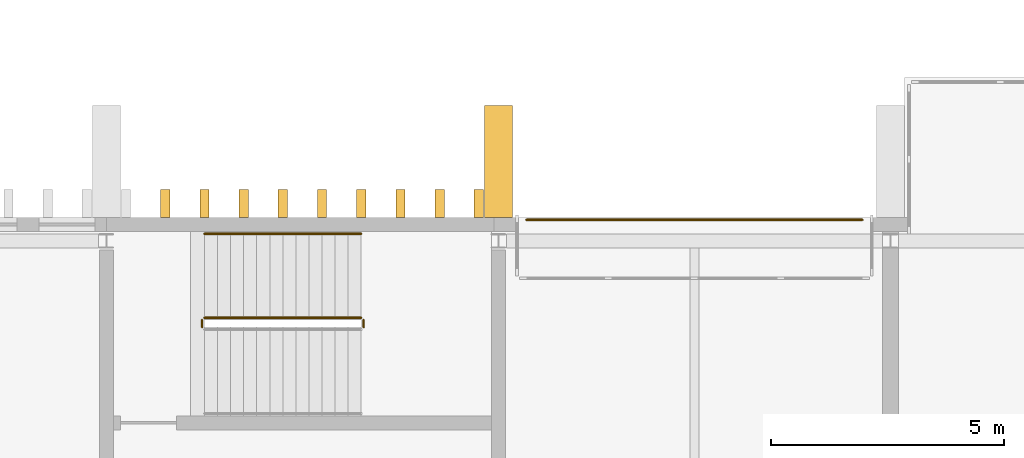
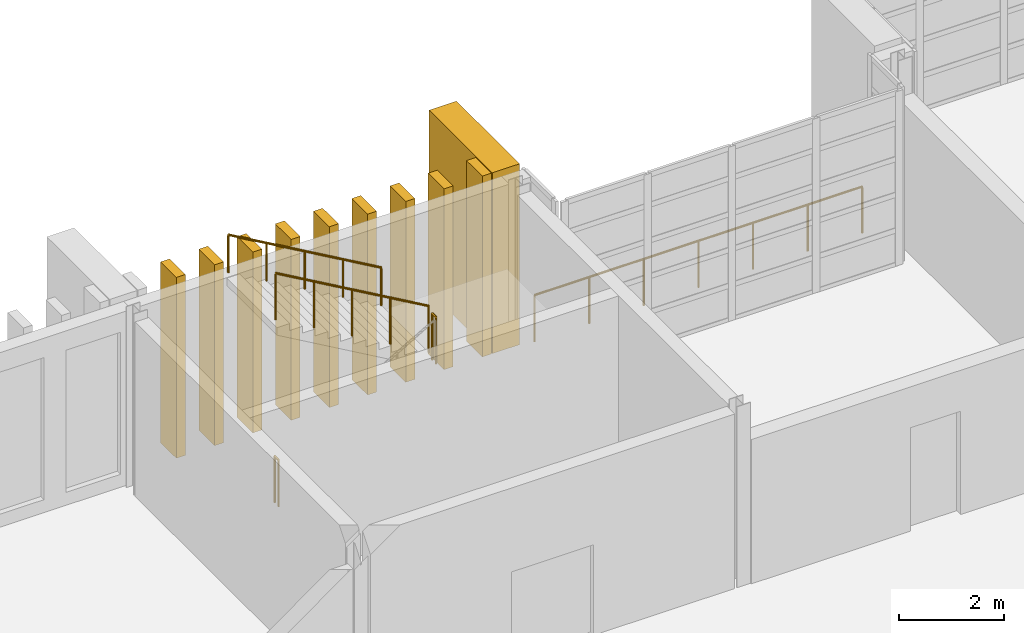
# One storey, part 90 of 100: 10 coverings, 5 railings.
"""IFC4 building model written with IfcOpenShell, lengths in metres."""

import ifcopenshell
import ifcopenshell.guid

model = None  # the IFC model being written
_history = None  # IfcOwnerHistory: only IFC2X3 demands one
_inside = {}  # id of a spatial element -> (the spatial element, [elements in it])
_under = {}  # id of a project, library or spatial element -> (it, [spatial elements below it])
_declared = {}  # id of a project -> (the project, [libraries it declares])
_typed = {}  # id of a type object -> (the type object, [elements of that type])
_made_of = {}  # id of a material, layer set ... -> (it, [elements and type objects made of it])


def new_model(schema):
    """Start an empty IFC model of exactly this schema.

    Asked for "IFC4X3", IfcOpenShell would pick the latest addendum, in which some entities
    have other attributes; the version numbers below select the first issue.
    IFC2X3 requires an IfcOwnerHistory on every rooted entity: one is made here for all.
    """
    global model, _history
    if schema == "IFC4X3":
        model = ifcopenshell.file(schema_version=(4, 3, 0, 0))
    else:
        model = ifcopenshell.file(schema=schema)
    _inside.clear()
    _under.clear()
    _declared.clear()
    _typed.clear()
    _made_of.clear()
    _history = None
    if model.schema == "IFC2X3":
        org = make("IfcOrganization", Name="unknown")
        user = make(
            "IfcPersonAndOrganization",
            ThePerson=make("IfcPerson", FamilyName="unknown"),
            TheOrganization=org,
        )
        app = make(
            "IfcApplication",
            ApplicationDeveloper=org,
            Version="unknown",
            ApplicationFullName="unknown",
            ApplicationIdentifier="unknown",
        )
        _history = make(
            "IfcOwnerHistory",
            OwningUser=user,
            OwningApplication=app,
            ChangeAction="ADDED",
            CreationDate=0,
        )
    return model


def make(cls, **values):
    """One entity of the class cls with the attributes given. An attribute that is None is left unset."""
    return model.create_entity(
        cls, **{name: value for name, value in values.items() if value is not None}
    )


def rooted(cls, **values):
    """An entity with a GlobalId (a new one), such as an element, a storey or a relation."""
    return make(cls, GlobalId=ifcopenshell.guid.new(), OwnerHistory=_history, **values)


def si_unit(unit_type, name, prefix=None):
    """IfcSIUnit, for example si_unit("LENGTHUNIT", "METRE", prefix="MILLI")."""
    return make("IfcSIUnit", UnitType=unit_type, Prefix=prefix, Name=name)


def assignment(units):
    """IfcUnitAssignment: the units of a project."""
    return None if units is None else make("IfcUnitAssignment", Units=units)


def point(xyz):
    """IfcCartesianPoint."""
    return None if xyz is None else make("IfcCartesianPoint", Coordinates=xyz)


def direction(xyz):
    """IfcDirection."""
    return None if xyz is None else make("IfcDirection", DirectionRatios=xyz)


def frame(location, z_axis=None, x_axis=None):
    """IfcAxis2Placement3D, a coordinate frame: its origin and axes. An axis left out is left unset."""
    return make(
        "IfcAxis2Placement3D",
        Location=point(location),
        Axis=direction(z_axis),
        RefDirection=direction(x_axis),
    )


def frame_2d(location, x_axis=None):
    """IfcAxis2Placement2D, a coordinate frame in the plane: its origin and x axis."""
    return make(
        "IfcAxis2Placement2D", Location=point(location), RefDirection=direction(x_axis)
    )


def origin():
    """The frame at (0, 0, 0) with its axes left unset."""
    return frame((0.0, 0.0, 0.0))


def origin_2d():
    """The frame at (0, 0) in the plane with its x axis left unset."""
    return frame_2d((0.0, 0.0))


def place(relative_to, where):
    """IfcLocalPlacement: puts the frame where relative to a parent placement (None: the world)."""
    return make(
        "IfcLocalPlacement", PlacementRelTo=relative_to, RelativePlacement=where
    )


def context(
    kind, dimensions, precision=None, world=None, true_north=None, identifier=None
):
    """IfcGeometricRepresentationContext, for example the 3D "Model" context."""
    return make(
        "IfcGeometricRepresentationContext",
        ContextIdentifier=identifier,
        ContextType=kind,
        CoordinateSpaceDimension=dimensions,
        Precision=precision,
        WorldCoordinateSystem=world,
        TrueNorth=true_north,
    )


def subcontext(parent, identifier, kind, view, scale=None):
    """IfcGeometricRepresentationSubContext, for example "Body" below "Model"."""
    return make(
        "IfcGeometricRepresentationSubContext",
        ContextIdentifier=identifier,
        ContextType=kind,
        ParentContext=parent,
        TargetScale=scale,
        TargetView=view,
    )


def project(units=None, contexts=None):
    """IfcProject with its units and contexts."""
    return rooted(
        "IfcProject",
        Name="project",
        RepresentationContexts=contexts,
        UnitsInContext=assignment(units),
    )


def spatial(cls, under=None, at=None, **own):
    """A site, building, storey or space (cls), placed at a placement, below another one or the project."""
    s = rooted(cls, ObjectPlacement=at, **own)
    if under is not None:
        _under.setdefault(under.id(), (under, []))[1].append(s)
    return s


def profile(cls, at=None, kind="AREA", **sizes):
    """A parametric profile (cls). Its sizes go by their IFC names, for example OverallWidth=200.0."""
    return make(cls, ProfileType=kind, Position=at, **sizes)


def rectangle(**sizes):
    """IfcRectangleProfileDef."""
    return profile("IfcRectangleProfileDef", **sizes)


def circle(**sizes):
    """IfcCircleProfileDef."""
    return profile("IfcCircleProfileDef", **sizes)


def extrude(swept, where, along, depth):
    """IfcExtrudedAreaSolid: the profile swept, set in the frame where, extruded along a direction by depth."""
    return make(
        "IfcExtrudedAreaSolid",
        SweptArea=swept,
        Position=where,
        ExtrudedDirection=direction(along),
        Depth=depth,
    )


def shape(context_of_items, identifier, shape_type, items):
    """IfcShapeRepresentation: the items that make up one representation, for example the "Body"."""
    return make(
        "IfcShapeRepresentation",
        ContextOfItems=context_of_items,
        RepresentationIdentifier=identifier,
        RepresentationType=shape_type,
        Items=items,
    )


def material(Name=None, Category=None):
    """IfcMaterial."""
    return make("IfcMaterial", Name=Name, Category=Category)


def made_of(thing, what):
    """Note that an element or type object is made of a material, layer set ...; save() writes the relation."""
    if what is not None:
        _made_of.setdefault(what.id(), (what, []))[1].append(thing)
    return thing


def type_object(cls, material=None, **own):
    """A type object (cls), such as IfcWallType, which elements share."""
    return made_of(rooted(cls, **own), material)


def element(
    cls,
    number,
    at=None,
    inside=None,
    cuts=None,
    type_object=None,
    material=None,
    context=None,
    identifier="Body",
    shape_type=None,
    held_by="IfcProductDefinitionShape",
    body=None,
    shapes=None,
    **own,
):
    """One element of the class cls, such as IfcWall. Its Tag is "e" and its number.

    at: its placement. inside: the storey or other place that contains it. cuts: it is an
    opening in that element (IfcRelVoidsElement). A single representation is given by context,
    identifier, shape_type and body (its items); several are given by shapes. held_by: the class
    of the entity that holds the representations. save() writes the other relations.
    """
    e = rooted(cls, Tag="e%d" % number, ObjectPlacement=at, **own)
    if body is not None:
        shapes = [shape(context, identifier, shape_type, body)]
    if shapes is not None:
        e.Representation = make(held_by, Representations=shapes)
    if inside is not None:
        _inside.setdefault(inside.id(), (inside, []))[1].append(e)
    if cuts is not None:
        rooted(
            "IfcRelVoidsElement", RelatingBuildingElement=cuts, RelatedOpeningElement=e
        )
    if type_object is not None:
        _typed.setdefault(type_object.id(), (type_object, []))[1].append(e)
    return made_of(e, material)


def aggregate(whole, parts):
    """IfcRelAggregates: a whole, such as a stair, and the parts it consists of."""
    return rooted("IfcRelAggregates", RelatingObject=whole, RelatedObjects=parts)


def save(model, path):
    """Write the relations noted so far, then the file.

    IfcRelAggregates (storeys below a building ...), IfcRelContainedInSpatialStructure (elements
    in a storey), IfcRelDefinesByType, IfcRelAssociatesMaterial and IfcRelDeclares: one each for
    every whole, place, type object, material and project.
    """
    for whole, parts in _under.values():
        aggregate(whole, parts)
    for where, things in _inside.values():
        rooted(
            "IfcRelContainedInSpatialStructure",
            RelatedElements=things,
            RelatingStructure=where,
        )
    for kind, things in _typed.values():
        rooted("IfcRelDefinesByType", RelatedObjects=things, RelatingType=kind)
    for what, things in _made_of.values():
        rooted("IfcRelAssociatesMaterial", RelatedObjects=things, RelatingMaterial=what)
    for by, libraries in _declared.values():
        rooted("IfcRelDeclares", RelatingContext=by, RelatedDefinitions=libraries)
    model.write(path)


model = new_model("IFC4")

# Units and contexts
model_context = context("Model", 3, precision=1e-05, world=origin(), true_north=direction((0.0, 1.0)))
body_context = subcontext(model_context, "Body", "Model", "MODEL_VIEW")
ifc_project = project(units=[si_unit("LENGTHUNIT", "METRE"), si_unit("AREAUNIT", "SQUARE_METRE"), si_unit("VOLUMEUNIT", "CUBIC_METRE"), si_unit("PLANEANGLEUNIT", "RADIAN"), si_unit("MASSUNIT", "GRAM", prefix="KILO")], contexts=[model_context])

# Site, building, storey
site_placement = place(None, origin())
site = spatial("IfcSite", under=ifc_project, at=site_placement, CompositionType="ELEMENT")
building_placement = place(site_placement, origin())
building = spatial("IfcBuilding", under=site, at=building_placement, Name="Cresset Court Congress Hotel", CompositionType="ELEMENT")
storey_placement = place(building_placement, frame((0.0, 0.0, 10.199951171875)))
storey = spatial("IfcBuildingStorey", under=building, at=storey_placement, Name="L02", CompositionType="ELEMENT", Elevation=10.199951171875)

# Railings
ifc_material_1 = material(Name="Steel and laminated glass", Category="steel")
railing_type_1 = type_object("IfcRailingType", Name="Guard 1100 steel and glass", PredefinedType="GUARDRAIL", material=ifc_material_1)
railing_1_placement = place(storey_placement, frame((64.31005859375, 23.35009765625, 2.10009765625)))
element("IfcRailing", 1, at=railing_1_placement, inside=storey, type_object=railing_type_1, Name="L02 ST-B3 stair guard 2", PredefinedType="GUARDRAIL", context=body_context, shape_type="SweptSolid", body=[
    extrude(circle(Radius=0.02392578125, at=origin_2d()), frame((0.0, 0.0, 1.076171875), z_axis=(0.0, 1.0, 0.0), x_axis=(-1.0, 0.0, 0.0)), (0.0, 0.0, 1.0), 0.14990234375),
    extrude(circle(Radius=0.02099609375, at=origin_2d()), origin(), (0.0, 0.0, 1.0), 1.052001953125),
    extrude(circle(Radius=0.02099609375, at=origin_2d()), frame((0.0, 0.14990234375, 0.0)), (0.0, 0.0, 1.0), 1.052001953125),
])
railing_2_placement = place(storey_placement, frame((64.260009765625, 23.550048828125, 2.261474609375)))
element("IfcRailing", 2, at=railing_2_placement, inside=storey, type_object=railing_type_1, Name="L02 ST-B3 stair guard 3", PredefinedType="GUARDRAIL", context=body_context, shape_type="SweptSolid", body=[
    extrude(circle(Radius=0.02392578125, at=origin_2d()), frame((0.0, 0.0, 1.076171875), z_axis=(-0.866190824863, 0.0, 0.499713372768), x_axis=(0.0, -1.0, 0.0)), (0.0, 0.0, 1.0), 3.879150390625),
    extrude(circle(Radius=0.02099609375, at=origin_2d()), origin(), (0.0, 0.0, 1.0), 1.052001953125),
    extrude(circle(Radius=0.02099609375, at=origin_2d()), frame((-0.840087890625, 0.0, 0.484619140625)), (0.0, 0.0, 1.0), 1.052001953125),
    extrude(circle(Radius=0.02099609375, at=origin_2d()), frame((-1.68017578125, 0.0, 0.96923828125)), (0.0, 0.0, 1.0), 1.052001953125),
    extrude(circle(Radius=0.02099609375, at=origin_2d()), frame((-2.52001953125, 0.0, 1.453857421875)), (0.0, 0.0, 1.0), 1.052001953125),
    extrude(circle(Radius=0.02099609375, at=origin_2d()), frame((-3.360107421875, 0.0, 1.9384765625)), (0.0, 0.0, 1.0), 1.052001953125),
])
railing_3_placement = place(storey_placement, frame((60.85009765625, 23.35009765625, 0.0)))
element("IfcRailing", 3, at=railing_3_placement, inside=storey, type_object=railing_type_1, Name="L02 ST-B3 stair guard 4", PredefinedType="GUARDRAIL", context=body_context, shape_type="SweptSolid", body=[
    extrude(circle(Radius=0.02392578125, at=origin_2d()), frame((0.0, 0.0, 1.076171875), z_axis=(0.0, 1.0, 0.0), x_axis=(-1.0, 0.0, 0.0)), (0.0, 0.0, 1.0), 0.14990234375),
    extrude(circle(Radius=0.02099609375, at=origin_2d()), origin(), (0.0, 0.0, 1.0), 1.052001953125),
    extrude(circle(Radius=0.02099609375, at=origin_2d()), frame((0.0, 0.14990234375, 0.0)), (0.0, 0.0, 1.0), 1.052001953125),
])
ifc_material_2 = material(Name="Steel and laminated glass", Category="steel")
railing_type_2 = type_object("IfcRailingType", Name="Guard 1100 steel and glass external", PredefinedType="GUARDRAIL", material=ifc_material_2)
railing_4_placement = place(storey_placement, frame((67.800048828125, 25.64990234375, 0.0)))
element("IfcRailing", 4, at=railing_4_placement, inside=storey, type_object=railing_type_2, Name="Guard to recess N0226", PredefinedType="GUARDRAIL", context=body_context, shape_type="SweptSolid", body=[
    extrude(circle(Radius=0.02392578125, at=origin_2d()), frame((0.0, 0.0, 1.076171875), z_axis=(1.0, 0.0, 0.0), x_axis=(0.0, 1.0, 0.0)), (0.0, 0.0, 1.0), 7.199951171875),
    extrude(circle(Radius=0.02099609375, at=origin_2d()), origin(), (0.0, 0.0, 1.0), 1.052001953125),
    extrude(circle(Radius=0.02099609375, at=origin_2d()), frame((1.199951171875, 0.0, 0.0)), (0.0, 0.0, 1.0), 1.052001953125),
    extrude(circle(Radius=0.02099609375, at=origin_2d()), frame((2.39990234375, 0.0, 0.0)), (0.0, 0.0, 1.0), 1.052001953125),
    extrude(circle(Radius=0.02099609375, at=origin_2d()), frame((3.60009765625, 0.0, 0.0)), (0.0, 0.0, 1.0), 1.052001953125),
    extrude(circle(Radius=0.02099609375, at=origin_2d()), frame((4.800048828125, 0.0, 0.0)), (0.0, 0.0, 1.0), 1.052001953125),
    extrude(circle(Radius=0.02099609375, at=origin_2d()), frame((6.0, 0.0, 0.0)), (0.0, 0.0, 1.0), 1.052001953125),
    extrude(circle(Radius=0.02099609375, at=origin_2d()), frame((7.199951171875, 0.0, 0.0)), (0.0, 0.0, 1.0), 1.052001953125),
])
ifc_material_3 = material(Name="Stainless steel", Category="steel")
railing_type_3 = type_object("IfcRailingType", Name="Handrail 48 stainless", PredefinedType="HANDRAIL", material=ifc_material_3)
railing_5_placement = place(storey_placement, frame((64.260009765625, 25.35009765625, 2.261474609375)))
element("IfcRailing", 5, at=railing_5_placement, inside=storey, type_object=railing_type_3, Name="L02 ST-B3 stair handrail 2", PredefinedType="HANDRAIL", context=body_context, shape_type="SweptSolid", body=[
    extrude(circle(Radius=0.02392578125, at=origin_2d()), frame((0.0, 0.0, 0.8759765625), z_axis=(-0.866190824863, 0.0, 0.499713372768), x_axis=(0.0, -1.0, 0.0)), (0.0, 0.0, 1.0), 3.879150390625),
    extrude(circle(Radius=0.02099609375, at=origin_2d()), origin(), (0.0, 0.0, 1.0), 0.851806640625),
    extrude(circle(Radius=0.02099609375, at=origin_2d()), frame((-0.840087890625, 0.0, 0.484619140625)), (0.0, 0.0, 1.0), 0.851806640625),
    extrude(circle(Radius=0.02099609375, at=origin_2d()), frame((-1.68017578125, 0.0, 0.96923828125)), (0.0, 0.0, 1.0), 0.851806640625),
    extrude(circle(Radius=0.02099609375, at=origin_2d()), frame((-2.52001953125, 0.0, 1.453857421875)), (0.0, 0.0, 1.0), 0.851806640625),
    extrude(circle(Radius=0.02099609375, at=origin_2d()), frame((-3.360107421875, 0.0, 1.9384765625)), (0.0, 0.0, 1.0), 0.851806640625),
])

# Coverings
ifc_material_4 = material(Name="Precast concrete C50", Category="concrete")
covering_type_1 = type_object("IfcCoveringType", Name="Precast stone fin 200x600 variant 1", PredefinedType="CLADDING", material=ifc_material_4)
for number, where, z_axis, x_axis, name in (
    (6, (60.06005859375, 26.0, 0.0), (0.0, 0.0, 1.0), (1.0, 0.0, 0.0), "Fin N02-061"),
    (7, (60.89990234375, 26.0, 0.0), (0.0, 0.0, 1.0), (1.0, 0.0, 0.0), "Fin N02-062"),
    (8, (61.739990234375, 26.0, 0.0), (0.0, 0.0, 1.0), (1.0, 0.0, 0.0), "Fin N02-063"),
    (9, (62.580078125, 26.0, 0.0), (0.0, 0.0, 1.0), (1.0, 0.0, 0.0), "Fin N02-064"),
    (10, (63.419921875, 26.0, 0.0), (0.0, 0.0, 1.0), (1.0, 0.0, 0.0), "Fin N02-065"),
    (11, (64.260009765625, 26.0, 0.0), (0.0, 0.0, 1.0), (1.0, 0.0, 0.0), "Fin N02-066"),
    (12, (65.10009765625, 26.0, 0.0), (0.0, 0.0, 1.0), (1.0, 0.0, 0.0), "Fin N02-067"),
    (13, (65.93994140625, 26.0, 0.0), (0.0, 0.0, 1.0), (1.0, 0.0, 0.0), "Fin N02-068"),
    (14, (66.780029296875, 26.0, 0.0), (0.0, 0.0, 1.0), (1.0, 0.0, 0.0), "Fin N02-069"),
):
    element("IfcCovering", number, at=place(storey_placement, frame(where, z_axis=z_axis, x_axis=x_axis)), inside=storey, type_object=covering_type_1, Name=name, PredefinedType="CLADDING", context=body_context, shape_type="SweptSolid", body=[
        extrude(rectangle(XDim=0.199951171875, YDim=0.60009765625, at=origin_2d()), origin(), (0.0, 0.0, 1.0), 4.199951171875),
    ])
ifc_material_5 = material(Name="Precast concrete C50", Category="concrete")
covering_type_2 = type_object("IfcCoveringType", Name="Precast stone pier 600x2400", PredefinedType="CLADDING", material=ifc_material_5)
covering_placement = place(storey_placement, frame((67.199951171875, 26.89990234375, 0.0), z_axis=(0.0, 0.0, 1.0), x_axis=(1.0, 0.0, 0.0)))
element("IfcCovering", 15, at=covering_placement, inside=storey, type_object=covering_type_2, Name="Pier N02-07", PredefinedType="CLADDING", context=body_context, shape_type="SweptSolid", body=[
    extrude(rectangle(XDim=0.60009765625, YDim=2.39990234375, at=origin_2d()), origin(), (0.0, 0.0, 1.0), 4.199951171875),
])

save(model, "model.ifc")
